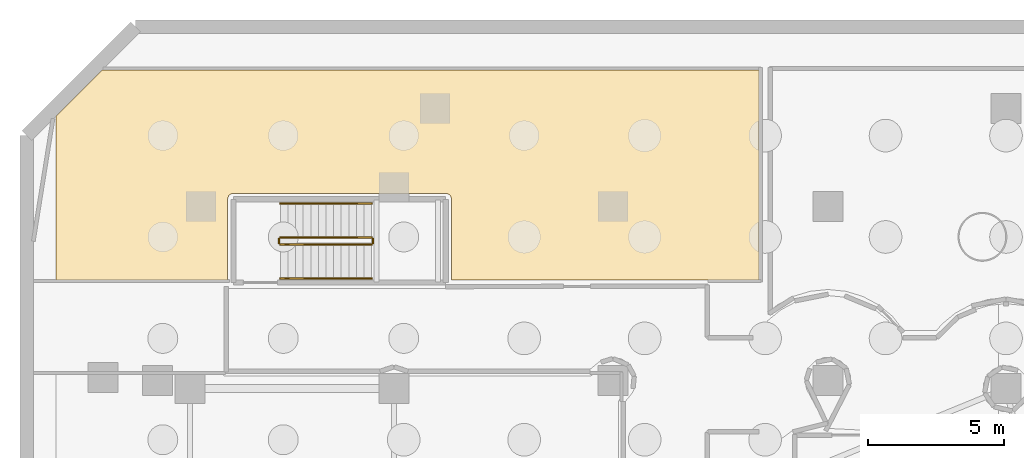
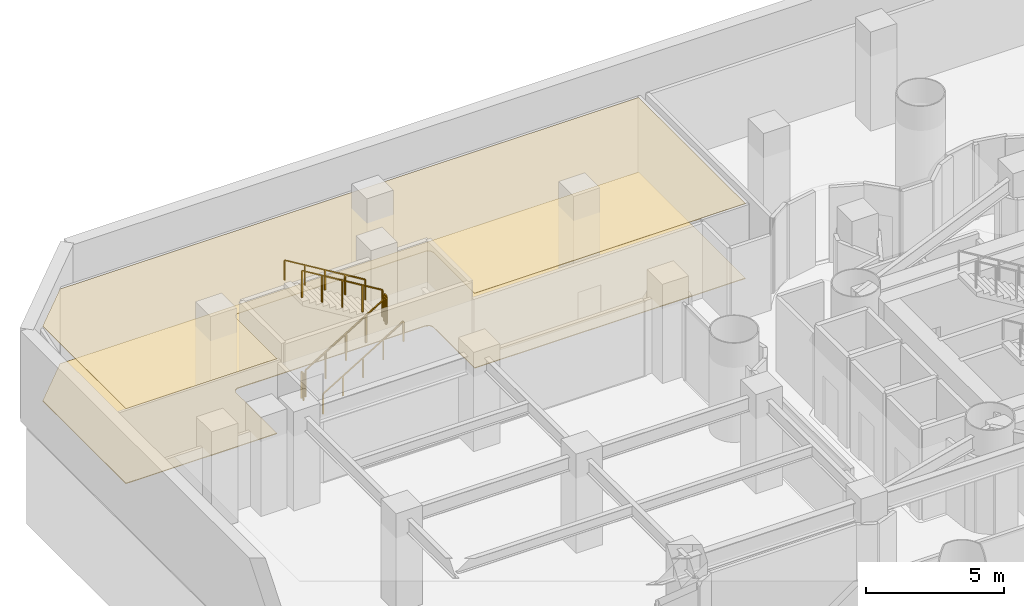
# One storey, part 11 of 13: 6 railings, 2 coverings.
"""IFC4 building model written with IfcOpenShell, lengths in metres."""

from ifc_helpers import new_model, si_unit, direction, frame, origin, origin_2d, place, context, subcontext, project, spatial, polyline, rectangle, outline, extrude, material, layer, layer_set, type_object, element, save


model = new_model("IFC4")

# Units and contexts
model_context = context("Model", 3, precision=1e-05, world=origin(), true_north=direction((0.0, 1.0)))
body_context = subcontext(model_context, "Body", "Model", "MODEL_VIEW")
ifc_project = project(units=[si_unit("LENGTHUNIT", "METRE"), si_unit("AREAUNIT", "SQUARE_METRE"), si_unit("VOLUMEUNIT", "CUBIC_METRE"), si_unit("PLANEANGLEUNIT", "RADIAN"), si_unit("MASSUNIT", "GRAM", prefix="KILO")], contexts=[model_context])

# Site, building, storey
site_placement = place(None, origin())
site = spatial("IfcSite", under=ifc_project, at=site_placement, CompositionType="ELEMENT")
building_placement = place(site_placement, origin())
building = spatial("IfcBuilding", under=site, at=building_placement, Name="Qianvela Tower", CompositionType="ELEMENT")
storey_placement = place(building_placement, frame((0.0, 0.0, -10.0)))
storey = spatial("IfcBuildingStorey", under=building, at=storey_placement, Name="B02", CompositionType="ELEMENT", Elevation=-10.0)

# Coverings
ifc_material_1 = material(Name="Perforated Mineral Acoustic Ceiling Tile")
ifc_layer_1 = layer(ifc_material_1, 0.02490234375)
ifc_layer_set_1 = layer_set([ifc_layer_1], Name="Perforated Mineral Acoustic Ceiling Tile")
covering_type_1 = type_object("IfcCoveringType", Name="COV-CEIL-ACOUSTIC-25", PredefinedType="CEILING", material=ifc_layer_set_1)
covering_1_placement = place(storey_placement, frame((0.0, 0.0, 3.294921875)))
element("IfcCovering", 1, at=covering_1_placement, inside=storey, type_object=covering_type_1, Name="B02 Acoustic Ceiling B02 Electric Bicycle Storage North", PredefinedType="CEILING", context=body_context, shape_type="SweptSolid", body=[
    extrude(outline(polyline([(17.1201171875, 41.199951171875), (17.1201171875, 44.159912109375), (17.11962890625, 44.167724609375), (17.118408203125, 44.175537109375), (17.11669921875, 44.18310546875), (17.114013671875, 44.190673828125), (17.072998046875, 44.28955078125), (17.069580078125, 44.296630859375), (17.0654296875, 44.303466796875), (17.060791015625, 44.309814453125), (17.0556640625, 44.315673828125), (17.0498046875, 44.32080078125), (17.04345703125, 44.325439453125), (17.03662109375, 44.32958984375), (17.029541015625, 44.3330078125), (16.9306640625, 44.373779296875), (16.923095703125, 44.376708984375), (16.91552734375, 44.37841796875), (16.90771484375, 44.379638671875), (16.89990234375, 44.3798828125), (9.07275390625, 44.377197265625), (9.06396484375, 44.376708984375), (9.055419921875, 44.37548828125), (9.047119140625, 44.373046875), (9.039306640625, 44.3701171875), (9.031494140625, 44.365966796875), (8.95068359375, 44.3173828125), (8.944091796875, 44.31298828125), (8.93798828125, 44.30810546875), (8.9326171875, 44.302490234375), (8.927490234375, 44.29638671875), (8.923095703125, 44.289794921875), (8.91943359375, 44.282958984375), (8.91650390625, 44.27587890625), (8.884765625, 44.18701171875), (8.882080078125, 44.17822265625), (8.880615234375, 44.169189453125), (8.8798828125, 44.159912109375), (8.8798828125, 41.199951171875), (2.580078125, 41.199951171875), (2.580078125, 47.21240234375), (4.28759765625, 48.919921875), (28.419921875, 48.919921875), (28.419921875, 41.199951171875), (17.1201171875, 41.199951171875)])), origin(), (0.0, 0.0, 1.0), 0.025146484375),
])
ifc_material_2 = material(Name="Honed Stone Terrazzo Flooring", Category="masonry")
ifc_layer_2 = layer(ifc_material_2, 0.030029296875)
ifc_layer_set_2 = layer_set([ifc_layer_2], Name="Honed Stone Terrazzo Flooring")
covering_type_2 = type_object("IfcCoveringType", Name="COV-FLOOR-TERRAZZO-30", PredefinedType="FLOORING", material=ifc_layer_set_2)
covering_2_placement = place(storey_placement, origin())
element("IfcCovering", 2, at=covering_2_placement, inside=storey, type_object=covering_type_2, Name="B02 Finish Flooring B02 Electric Bicycle Storage North", PredefinedType="FLOORING", context=body_context, shape_type="SweptSolid", body=[
    extrude(outline(polyline([(17.1201171875, 41.199951171875), (17.1201171875, 44.159912109375), (17.11962890625, 44.167724609375), (17.118408203125, 44.175537109375), (17.11669921875, 44.18310546875), (17.114013671875, 44.190673828125), (17.072998046875, 44.28955078125), (17.069580078125, 44.296630859375), (17.0654296875, 44.303466796875), (17.060791015625, 44.309814453125), (17.0556640625, 44.315673828125), (17.0498046875, 44.32080078125), (17.04345703125, 44.325439453125), (17.03662109375, 44.32958984375), (17.029541015625, 44.3330078125), (16.9306640625, 44.373779296875), (16.923095703125, 44.376708984375), (16.91552734375, 44.37841796875), (16.90771484375, 44.379638671875), (16.89990234375, 44.3798828125), (9.07275390625, 44.377197265625), (9.06396484375, 44.376708984375), (9.055419921875, 44.37548828125), (9.047119140625, 44.373046875), (9.039306640625, 44.3701171875), (9.031494140625, 44.365966796875), (8.95068359375, 44.3173828125), (8.944091796875, 44.31298828125), (8.93798828125, 44.30810546875), (8.9326171875, 44.302490234375), (8.927490234375, 44.29638671875), (8.923095703125, 44.289794921875), (8.91943359375, 44.282958984375), (8.91650390625, 44.27587890625), (8.884765625, 44.18701171875), (8.882080078125, 44.17822265625), (8.880615234375, 44.169189453125), (8.8798828125, 44.159912109375), (8.8798828125, 41.199951171875), (2.580078125, 41.199951171875), (2.580078125, 47.21240234375), (4.28759765625, 48.919921875), (28.419921875, 48.919921875), (28.419921875, 41.199951171875), (17.1201171875, 41.199951171875)])), origin(), (0.0, 0.0, 1.0), 0.030029296875),
])

# Railings
ifc_material_3 = material(Name="Painted Tubular Steel Q355B", Category="steel")
railing_type_1 = type_object("IfcRailingType", Name="RL-STAIR-GUARD-1200", PredefinedType="GUARDRAIL", material=ifc_material_3)
railing_1_placement = place(storey_placement, frame((10.820068359375, 42.5, 0.169189453125)))
element("IfcRailing", 3, at=railing_1_placement, inside=storey, type_object=railing_type_1, Name="B02 ST-3 stair guard 1", PredefinedType="GUARDRAIL", context=body_context, shape_type="SweptSolid", body=[
    extrude(rectangle(XDim=0.050048828125, YDim=0.0400390625, at=origin_2d()), frame((0.0, 0.0, 1.179931640625), z_axis=(0.855820338506, 0.0, 0.51727318527), x_axis=(0.0, 1.0, 0.0)), (0.0, 0.0, 1.0), 3.92578125),
    extrude(rectangle(XDim=0.050048828125, YDim=0.050048828125, at=origin_2d()), origin(), (0.0, 0.0, 1.0), 1.159912109375),
    extrude(rectangle(XDim=0.050048828125, YDim=0.050048828125, at=origin_2d()), frame((0.83984375, 0.0, 0.5078125)), (0.0, 0.0, 1.0), 1.159912109375),
    extrude(rectangle(XDim=0.050048828125, YDim=0.050048828125, at=origin_2d()), frame((1.679931640625, 0.0, 1.015380859375)), (0.0, 0.0, 1.0), 1.159912109375),
    extrude(rectangle(XDim=0.050048828125, YDim=0.050048828125, at=origin_2d()), frame((2.52001953125, 0.0, 1.52294921875)), (0.0, 0.0, 1.0), 1.159912109375),
    extrude(rectangle(XDim=0.050048828125, YDim=0.050048828125, at=origin_2d()), frame((3.35986328125, 0.0, 2.03076171875)), (0.0, 0.0, 1.0), 1.159912109375),
])
railing_2_placement = place(storey_placement, frame((14.22998046875, 42.550048828125, 2.199951171875)))
element("IfcRailing", 4, at=railing_2_placement, inside=storey, type_object=railing_type_1, Name="B02 ST-3 stair guard 2", PredefinedType="GUARDRAIL", context=body_context, shape_type="SweptSolid", body=[
    extrude(rectangle(XDim=0.050048828125, YDim=0.0400390625, at=origin_2d()), frame((0.0, 0.0, 1.179931640625), z_axis=(0.0, 1.0, 0.0), x_axis=(-1.0, 0.0, 0.0)), (0.0, 0.0, 1.0), 0.159912109375),
    extrude(rectangle(XDim=0.050048828125, YDim=0.050048828125, at=origin_2d()), origin(), (0.0, 0.0, 1.0), 1.159912109375),
    extrude(rectangle(XDim=0.050048828125, YDim=0.050048828125, at=origin_2d()), frame((0.0, 0.159912109375, 0.0)), (0.0, 0.0, 1.0), 1.159912109375),
])
railing_3_placement = place(storey_placement, frame((14.179931640625, 42.760009765625, 2.369140625)))
element("IfcRailing", 5, at=railing_3_placement, inside=storey, type_object=railing_type_1, Name="B02 ST-3 stair guard 3", PredefinedType="GUARDRAIL", context=body_context, shape_type="SweptSolid", body=[
    extrude(rectangle(XDim=0.050048828125, YDim=0.0400390625, at=origin_2d()), frame((0.0, 0.0, 1.179931640625), z_axis=(-0.855820338506, 0.0, 0.51727318527), x_axis=(0.0, -1.0, 0.0)), (0.0, 0.0, 1.0), 3.92578125),
    extrude(rectangle(XDim=0.050048828125, YDim=0.050048828125, at=origin_2d()), origin(), (0.0, 0.0, 1.0), 1.159912109375),
    extrude(rectangle(XDim=0.050048828125, YDim=0.050048828125, at=origin_2d()), frame((-0.83984375, 0.0, 0.5078125)), (0.0, 0.0, 1.0), 1.159912109375),
    extrude(rectangle(XDim=0.050048828125, YDim=0.050048828125, at=origin_2d()), frame((-1.679931640625, 0.0, 1.015380859375)), (0.0, 0.0, 1.0), 1.159912109375),
    extrude(rectangle(XDim=0.050048828125, YDim=0.050048828125, at=origin_2d()), frame((-2.52001953125, 0.0, 1.52294921875)), (0.0, 0.0, 1.0), 1.159912109375),
    extrude(rectangle(XDim=0.050048828125, YDim=0.050048828125, at=origin_2d()), frame((-3.35986328125, 0.0, 2.03076171875)), (0.0, 0.0, 1.0), 1.159912109375),
])
railing_4_placement = place(storey_placement, frame((10.77001953125, 42.550048828125, 0.0)))
element("IfcRailing", 6, at=railing_4_placement, inside=storey, type_object=railing_type_1, Name="B02 ST-3 stair guard 4", PredefinedType="GUARDRAIL", context=body_context, shape_type="SweptSolid", body=[
    extrude(rectangle(XDim=0.050048828125, YDim=0.0400390625, at=origin_2d()), frame((0.0, 0.0, 1.179931640625), z_axis=(0.0, 1.0, 0.0), x_axis=(-1.0, 0.0, 0.0)), (0.0, 0.0, 1.0), 0.159912109375),
    extrude(rectangle(XDim=0.050048828125, YDim=0.050048828125, at=origin_2d()), origin(), (0.0, 0.0, 1.0), 1.159912109375),
    extrude(rectangle(XDim=0.050048828125, YDim=0.050048828125, at=origin_2d()), frame((0.0, 0.159912109375, 0.0)), (0.0, 0.0, 1.0), 1.159912109375),
])
ifc_material_4 = material(Name="Brushed Stainless Steel 304", Category="steel")
railing_type_2 = type_object("IfcRailingType", Name="RL-STAIR-HANDRAIL-900", PredefinedType="HANDRAIL", material=ifc_material_4)
railing_5_placement = place(storey_placement, frame((10.820068359375, 41.25, 0.169189453125)))
element("IfcRailing", 7, at=railing_5_placement, inside=storey, type_object=railing_type_2, Name="B02 ST-3 stair handrail 1", PredefinedType="HANDRAIL", context=body_context, shape_type="SweptSolid", body=[
    extrude(rectangle(XDim=0.050048828125, YDim=0.0400390625, at=origin_2d()), frame((0.0, 0.0, 0.8798828125), z_axis=(0.855820338506, 0.0, 0.51727318527), x_axis=(0.0, 1.0, 0.0)), (0.0, 0.0, 1.0), 3.92578125),
    extrude(rectangle(XDim=0.050048828125, YDim=0.050048828125, at=origin_2d()), origin(), (0.0, 0.0, 1.0), 0.85986328125),
    extrude(rectangle(XDim=0.050048828125, YDim=0.050048828125, at=origin_2d()), frame((0.83984375, 0.0, 0.5078125)), (0.0, 0.0, 1.0), 0.85986328125),
    extrude(rectangle(XDim=0.050048828125, YDim=0.050048828125, at=origin_2d()), frame((1.679931640625, 0.0, 1.015380859375)), (0.0, 0.0, 1.0), 0.85986328125),
    extrude(rectangle(XDim=0.050048828125, YDim=0.050048828125, at=origin_2d()), frame((2.52001953125, 0.0, 1.52294921875)), (0.0, 0.0, 1.0), 0.85986328125),
    extrude(rectangle(XDim=0.050048828125, YDim=0.050048828125, at=origin_2d()), frame((3.35986328125, 0.0, 2.03076171875)), (0.0, 0.0, 1.0), 0.85986328125),
])
railing_6_placement = place(storey_placement, frame((14.179931640625, 44.010009765625, 2.369140625)))
element("IfcRailing", 8, at=railing_6_placement, inside=storey, type_object=railing_type_2, Name="B02 ST-3 stair handrail 2", PredefinedType="HANDRAIL", context=body_context, shape_type="SweptSolid", body=[
    extrude(rectangle(XDim=0.050048828125, YDim=0.0400390625, at=origin_2d()), frame((0.0, 0.0, 0.8798828125), z_axis=(-0.855820338506, 0.0, 0.51727318527), x_axis=(0.0, -1.0, 0.0)), (0.0, 0.0, 1.0), 3.92578125),
    extrude(rectangle(XDim=0.050048828125, YDim=0.050048828125, at=origin_2d()), origin(), (0.0, 0.0, 1.0), 0.85986328125),
    extrude(rectangle(XDim=0.050048828125, YDim=0.050048828125, at=origin_2d()), frame((-0.83984375, 0.0, 0.5078125)), (0.0, 0.0, 1.0), 0.85986328125),
    extrude(rectangle(XDim=0.050048828125, YDim=0.050048828125, at=origin_2d()), frame((-1.679931640625, 0.0, 1.015380859375)), (0.0, 0.0, 1.0), 0.85986328125),
    extrude(rectangle(XDim=0.050048828125, YDim=0.050048828125, at=origin_2d()), frame((-2.52001953125, 0.0, 1.52294921875)), (0.0, 0.0, 1.0), 0.85986328125),
    extrude(rectangle(XDim=0.050048828125, YDim=0.050048828125, at=origin_2d()), frame((-3.35986328125, 0.0, 2.03076171875)), (0.0, 0.0, 1.0), 0.85986328125),
])

save(model, "model.ifc")
